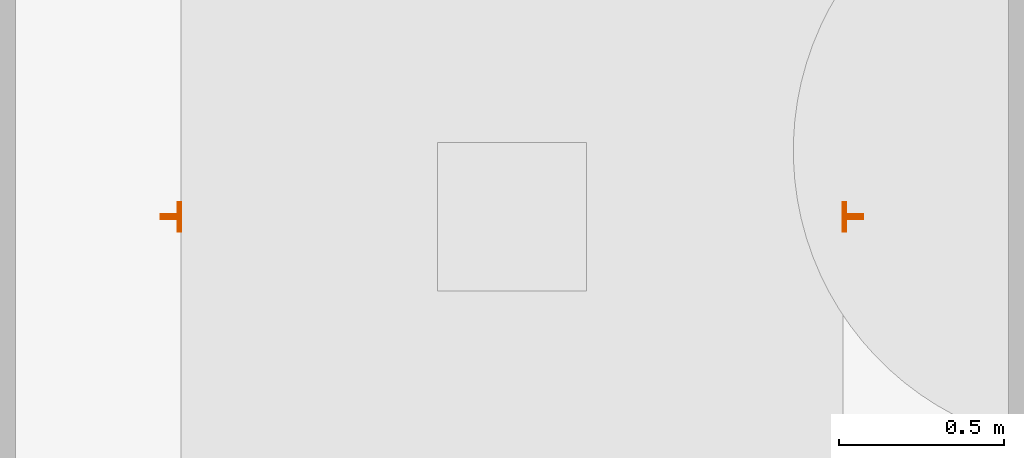
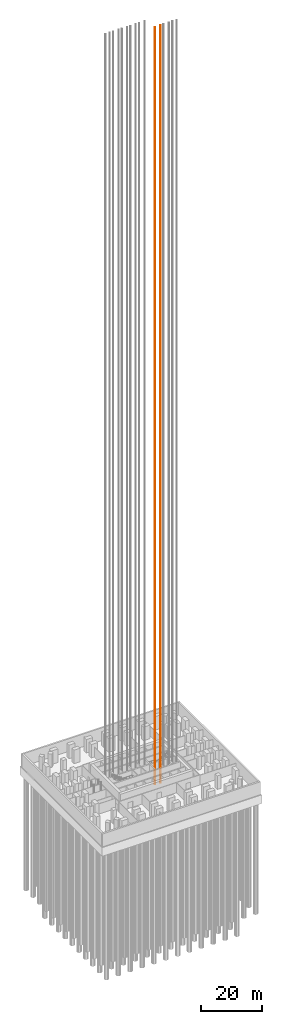
# One storey, part 14 of 17: 1 proxy.
"""IFC4 building model written with IfcOpenShell, lengths in metres."""

from ifc_helpers import new_model, si_unit, direction, frame, origin, origin_2d, place, context, subcontext, project, spatial, t_section, extrude, material, type_object, element, save


model = new_model("IFC4")

# Units and contexts
model_context = context("Model", 3, precision=1e-05, world=origin(), true_north=direction((0.0, 1.0)))
body_context = subcontext(model_context, "Body", "Model", "MODEL_VIEW")
ifc_project = project(units=[si_unit("LENGTHUNIT", "METRE"), si_unit("AREAUNIT", "SQUARE_METRE"), si_unit("VOLUMEUNIT", "CUBIC_METRE"), si_unit("PLANEANGLEUNIT", "RADIAN"), si_unit("MASSUNIT", "GRAM", prefix="KILO")], contexts=[model_context])

# Site, building, storey
site_placement = place(None, origin())
site = spatial("IfcSite", under=ifc_project, at=site_placement, CompositionType="ELEMENT")
building_placement = place(site_placement, origin())
building = spatial("IfcBuilding", under=site, at=building_placement, Name="Cobogo Forest Laboratory Tower", CompositionType="ELEMENT")
storey_placement = place(building_placement, frame((0.0, 0.0, -5.39990234375)))
storey = spatial("IfcBuildingStorey", under=building, at=storey_placement, Name="L-01", CompositionType="ELEMENT", Elevation=-5.39990234375)

# Proxy
ifc_material = material(Name="Steel guide rail", Category="steel")
building_element_proxy_type = type_object("IfcBuildingElementProxyType", Name="LR lift guide rails", PredefinedType="USERDEFINED", material=ifc_material)
proxy_placement = place(storey_placement, frame((31.39990234375, 20.64990234375, 0.0)))
element("IfcBuildingElementProxy", 1, at=proxy_placement, inside=storey, type_object=building_element_proxy_type, Name="LS1 guide rails", ObjectType="LIFT GUIDE RAILS", PredefinedType="USERDEFINED", context=body_context, shape_type="SweptSolid", body=[
    extrude(t_section(Depth=0.062, FlangeWidth=0.089, WebThickness=0.0159, FlangeThickness=0.01, at=origin_2d()), frame((-1.031005859375, 0.0, -1.60009765625), z_axis=(0.0, 0.0, 1.0), x_axis=(0.0, -1.0, 0.0)), (0.0, 0.0, 1.0), 303.800048828125),
    extrude(t_section(Depth=0.062, FlangeWidth=0.089, WebThickness=0.0159, FlangeThickness=0.01, at=origin_2d()), frame((1.031005859375, 0.0, -1.60009765625), z_axis=(0.0, 0.0, 1.0), x_axis=(0.0, 1.0, 0.0)), (0.0, 0.0, 1.0), 303.800048828125),
])

save(model, "model.ifc")
